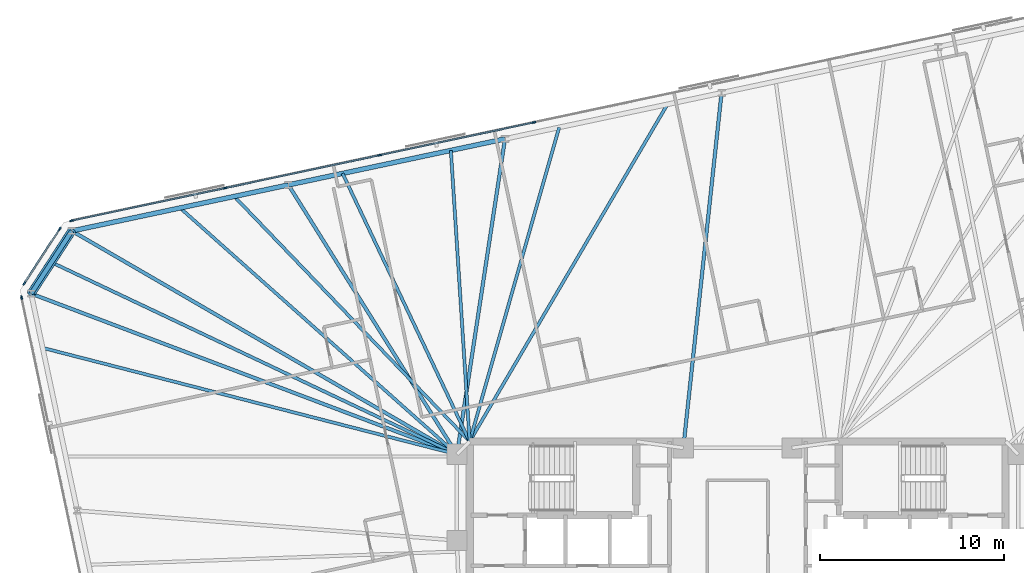
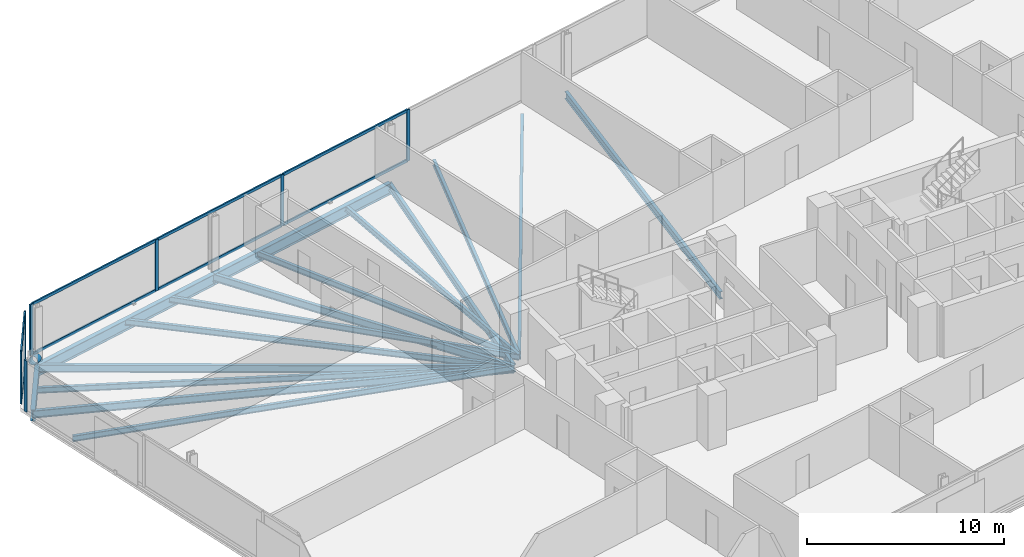
# One storey, part 9 of 19: 16 beams, 16 members, 3 elements without a shape of their own.
"""IFC4 building model written with IfcOpenShell, lengths in metres."""

from ifc_helpers import new_model, si_unit, direction, frame, origin, origin_2d, place, context, subcontext, project, spatial, rectangle, hollow_circle, i_section, extrude, material, material_profile, profile_set, type_object, element, aggregate, save


model = new_model("IFC4")

# Units and contexts
model_context = context("Model", 3, precision=1e-05, world=origin(), true_north=direction((0.0, 1.0)))
body_context = subcontext(model_context, "Body", "Model", "MODEL_VIEW")
ifc_project = project(units=[si_unit("LENGTHUNIT", "METRE"), si_unit("AREAUNIT", "SQUARE_METRE"), si_unit("VOLUMEUNIT", "CUBIC_METRE"), si_unit("PLANEANGLEUNIT", "RADIAN"), si_unit("MASSUNIT", "GRAM", prefix="KILO")], contexts=[model_context])

# Site, building, storey
site_placement = place(None, origin())
site = spatial("IfcSite", under=ifc_project, at=site_placement, CompositionType="ELEMENT")
building_placement = place(site_placement, origin())
building = spatial("IfcBuilding", under=site, at=building_placement, Name="Menara Jurai Vektor", CompositionType="ELEMENT")
storey_placement = place(building_placement, frame((0.0, 0.0, 154.800048828125)))
storey = spatial("IfcBuildingStorey", under=building, at=storey_placement, Name="L39", CompositionType="ELEMENT", Elevation=154.800048828125)

# Curtain wall, members
ifc_material_1 = material(Name="Anodised Pale Aluminium & Low-E Double Glazing", Category="aluminium")
curtain_wall_type = type_object("IfcCurtainWallType", Name="CW-BLK3", PredefinedType="NOTDEFINED", material=ifc_material_1)
curtain_wall_1_placement = place(storey_placement, origin())
curtain_wall_1 = element("IfcCurtainWall", 1, at=curtain_wall_1_placement, inside=storey, type_object=curtain_wall_type, Name="Unitised Curtain Wall L39 F05", PredefinedType="NOTDEFINED")
ifc_material_2 = material(Name="Anodised Pale Aluminium Mullion", Category="aluminium")
ifc_material_profile_1 = material_profile(ifc_material_2, rectangle(XDim=0.0849609375, YDim=0.205078125, at=origin_2d()), Name="ALU MUL 85x205")
ifc_profile_set_1 = profile_set([ifc_material_profile_1], Name="Anodised Pale Aluminium Mullion")
member_type_1 = type_object("IfcMemberType", Name="CW-BLK3-MUL", PredefinedType="MULLION", material=ifc_profile_set_1)
member_1_placement = place(storey_placement, frame((-11.06494140625, 22.9384765625, 0.0), z_axis=(0.0, 0.0, 1.0), x_axis=(0.207911344156, -0.978147674419, 0.0)))
member_1 = element("IfcMember", 2, at=member_1_placement, type_object=member_type_1, Name="CW-03 mullion 5", PredefinedType="MULLION", context=body_context, shape_type="SweptSolid", body=[
    extrude(rectangle(XDim=0.0849609375, YDim=0.205078125, at=origin_2d()), origin(), (0.0, 0.0, 1.0), 3.175048828125),
])
member_2_placement = place(storey_placement, frame((-19.45458984375, 21.1552734375, 0.0), z_axis=(0.0, 0.0, 1.0), x_axis=(0.207911344156, -0.978147674419, 0.0)))
member_2 = element("IfcMember", 3, at=member_2_placement, type_object=member_type_1, Name="CW-03 mullion 6", PredefinedType="MULLION", context=body_context, shape_type="SweptSolid", body=[
    extrude(rectangle(XDim=0.0849609375, YDim=0.205078125, at=origin_2d()), origin(), (0.0, 0.0, 1.0), 3.175048828125),
])
member_3_placement = place(storey_placement, frame((-27.844482421875, 19.3720703125, 0.0), z_axis=(0.0, 0.0, 1.0), x_axis=(0.207911344156, -0.978147674419, 0.0)))
member_3 = element("IfcMember", 4, at=member_3_placement, type_object=member_type_1, Name="CW-03 mullion 7", PredefinedType="MULLION", context=body_context, shape_type="SweptSolid", body=[
    extrude(rectangle(XDim=0.0849609375, YDim=0.205078125, at=origin_2d()), origin(), (0.0, 0.0, 1.0), 3.175048828125),
])
member_4_placement = place(storey_placement, frame((-36.192626953125, 17.59765625, 0.0), z_axis=(0.0, 0.0, 1.0), x_axis=(0.207911344156, -0.978147674419, 0.0)))
member_4 = element("IfcMember", 5, at=member_4_placement, type_object=member_type_1, Name="CW-03 mullion 8", PredefinedType="MULLION", context=body_context, shape_type="SweptSolid", body=[
    extrude(rectangle(XDim=0.0849609375, YDim=0.205078125, at=origin_2d()), origin(), (0.0, 0.0, 1.0), 3.175048828125),
])

curtain_wall_2_placement = place(storey_placement, origin())
curtain_wall_2 = element("IfcCurtainWall", 6, at=curtain_wall_2_placement, inside=storey, type_object=curtain_wall_type, Name="Unitised Curtain Wall L39 F06", PredefinedType="NOTDEFINED")
member_5_placement = place(storey_placement, frame((-36.8359375, 17.1552734375, 0.0), z_axis=(0.0, 0.0, 1.0), x_axis=(0.838684361415, -0.544617794346, 0.0)))
member_5 = element("IfcMember", 7, at=member_5_placement, type_object=member_type_1, Name="CW-03 mullion 1", PredefinedType="MULLION", context=body_context, shape_type="SweptSolid", body=[
    extrude(rectangle(XDim=0.0849609375, YDim=0.205078125, at=origin_2d()), origin(), (0.0, 0.0, 1.0), 3.175048828125),
])
member_6_placement = place(storey_placement, frame((-38.763427734375, 14.187255859375, 0.0), z_axis=(0.0, 0.0, 1.0), x_axis=(0.838684361415, -0.544617794346, 0.0)))
member_6 = element("IfcMember", 8, at=member_6_placement, type_object=member_type_1, Name="CW-03 mullion 2", PredefinedType="MULLION", context=body_context, shape_type="SweptSolid", body=[
    extrude(rectangle(XDim=0.0849609375, YDim=0.205078125, at=origin_2d()), origin(), (0.0, 0.0, 1.0), 3.175048828125),
])

# Curtain wall, member
curtain_wall_3_placement = place(storey_placement, origin())
curtain_wall_3 = element("IfcCurtainWall", 9, at=curtain_wall_3_placement, inside=storey, type_object=curtain_wall_type, Name="Unitised Curtain Wall L39 F07", PredefinedType="NOTDEFINED")
member_7_placement = place(storey_placement, frame((-38.90576171875, 13.419677734375, 0.0), z_axis=(0.0, 0.0, 1.0), x_axis=(0.978147883949, 0.20791035839, 0.0)))
member_7 = element("IfcMember", 10, at=member_7_placement, type_object=member_type_1, Name="CW-03 mullion 1", PredefinedType="MULLION", context=body_context, shape_type="SweptSolid", body=[
    extrude(rectangle(XDim=0.0849609375, YDim=0.205078125, at=origin_2d()), origin(), (0.0, 0.0, 1.0), 3.175048828125),
])
aggregate(curtain_wall_3, [member_7])

# Member
ifc_material_3 = material(Name="Anodised Pale Aluminium Transom", Category="aluminium")
ifc_material_profile_2 = material_profile(ifc_material_3, rectangle(XDim=0.0849609375, YDim=0.175048828125, at=origin_2d()), Name="ALU TRN 85x175")
ifc_profile_set_2 = profile_set([ifc_material_profile_2], Name="Anodised Pale Aluminium Transom")
member_type_2 = type_object("IfcMemberType", Name="CW-BLK3-TRN", PredefinedType="USERDEFINED", material=ifc_profile_set_2)
member_8_placement = place(storey_placement, frame((-11.1064453125, 22.9296875, 0.04248046875), z_axis=(-0.978147743708, -0.207911018178, 0.0), x_axis=(0.207911018178, -0.978147743708, 0.0)))
member_8 = element("IfcMember", 11, at=member_8_placement, type_object=member_type_2, Name="CW-03 transom 5.1", ObjectType="TRANSOM", PredefinedType="USERDEFINED", context=body_context, shape_type="SweptSolid", body=[
    extrude(rectangle(XDim=0.0849609375, YDim=0.175048828125, at=origin_2d()), origin(), (0.0, 0.0, 1.0), 8.4921875),
])

member_9_placement = place(storey_placement, frame((-11.1064453125, 22.9296875, 3.132568359375), z_axis=(-0.978147743708, -0.207911018178, 0.0), x_axis=(0.207911018178, -0.978147743708, 0.0)))
member_9 = element("IfcMember", 12, at=member_9_placement, type_object=member_type_2, Name="CW-03 transom 5.2", ObjectType="TRANSOM", PredefinedType="USERDEFINED", context=body_context, shape_type="SweptSolid", body=[
    extrude(rectangle(XDim=0.0849609375, YDim=0.175048828125, at=origin_2d()), origin(), (0.0, 0.0, 1.0), 8.4921875),
])

member_10_placement = place(storey_placement, frame((-19.496337890625, 21.146484375, 0.04248046875), z_axis=(-0.978146500933, -0.207916864907, 0.0), x_axis=(0.207916864907, -0.978146500933, 0.0)))
member_10 = element("IfcMember", 13, at=member_10_placement, type_object=member_type_2, Name="CW-03 transom 6.1", ObjectType="TRANSOM", PredefinedType="USERDEFINED", context=body_context, shape_type="SweptSolid", body=[
    extrude(rectangle(XDim=0.0849609375, YDim=0.175048828125, at=origin_2d()), origin(), (0.0, 0.0, 1.0), 8.491943359375),
])

member_11_placement = place(storey_placement, frame((-19.496337890625, 21.146484375, 3.132568359375), z_axis=(-0.978146500933, -0.207916864907, 0.0), x_axis=(0.207916864907, -0.978146500933, 0.0)))
member_11 = element("IfcMember", 14, at=member_11_placement, type_object=member_type_2, Name="CW-03 transom 6.2", ObjectType="TRANSOM", PredefinedType="USERDEFINED", context=body_context, shape_type="SweptSolid", body=[
    extrude(rectangle(XDim=0.0849609375, YDim=0.175048828125, at=origin_2d()), origin(), (0.0, 0.0, 1.0), 8.491943359375),
])

member_12_placement = place(storey_placement, frame((-27.885986328125, 19.363037109375, 0.04248046875), z_axis=(-0.978151580361, -0.207892967261, 0.0), x_axis=(0.207892967261, -0.978151580361, 0.0)))
member_12 = element("IfcMember", 15, at=member_12_placement, type_object=member_type_2, Name="CW-03 transom 7.1", ObjectType="TRANSOM", PredefinedType="USERDEFINED", context=body_context, shape_type="SweptSolid", body=[
    extrude(rectangle(XDim=0.0849609375, YDim=0.175048828125, at=origin_2d()), origin(), (0.0, 0.0, 1.0), 8.449462890625),
])

member_13_placement = place(storey_placement, frame((-27.885986328125, 19.363037109375, 3.132568359375), z_axis=(-0.978151580361, -0.207892967261, 0.0), x_axis=(0.207892967261, -0.978151580361, 0.0)))
member_13 = element("IfcMember", 16, at=member_13_placement, type_object=member_type_2, Name="CW-03 transom 7.2", ObjectType="TRANSOM", PredefinedType="USERDEFINED", context=body_context, shape_type="SweptSolid", body=[
    extrude(rectangle(XDim=0.0849609375, YDim=0.175048828125, at=origin_2d()), origin(), (0.0, 0.0, 1.0), 8.449462890625),
])

aggregate(curtain_wall_1, [member_1, member_2, member_3, member_4, member_8, member_9, member_10, member_11, member_12, member_13])

member_14_placement = place(storey_placement, frame((-36.859130859375, 17.11962890625, 0.04248046875), z_axis=(-0.54462804274, -0.83867770631, 0.0), x_axis=(0.83867770631, -0.54462804274, 0.0)))
member_14 = element("IfcMember", 17, at=member_14_placement, type_object=member_type_2, Name="CW-03 transom 1.1", ObjectType="TRANSOM", PredefinedType="USERDEFINED", context=body_context, shape_type="SweptSolid", body=[
    extrude(rectangle(XDim=0.0849609375, YDim=0.175048828125, at=origin_2d()), origin(), (0.0, 0.0, 1.0), 3.453857421875),
])

member_15_placement = place(storey_placement, frame((-36.859130859375, 17.11962890625, 3.132568359375), z_axis=(-0.54462804274, -0.83867770631, 0.0), x_axis=(0.83867770631, -0.54462804274, 0.0)))
member_15 = element("IfcMember", 18, at=member_15_placement, type_object=member_type_2, Name="CW-03 transom 1.2", ObjectType="TRANSOM", PredefinedType="USERDEFINED", context=body_context, shape_type="SweptSolid", body=[
    extrude(rectangle(XDim=0.0849609375, YDim=0.175048828125, at=origin_2d()), origin(), (0.0, 0.0, 1.0), 3.453857421875),
])

aggregate(curtain_wall_2, [member_5, member_6, member_14, member_15])

# Beams
ifc_material_4 = material(Name="Steel S355", Category="steel")
ifc_material_profile_3 = material_profile(ifc_material_4, i_section(OverallWidth=0.19091796875, OverallDepth=0.4599609375, WebThickness=0.010009765625, FlangeThickness=0.01611328125, FilletRadius=0.010009765625, at=origin_2d()), Name="UKB 457x191x82")
ifc_profile_set_3 = profile_set([ifc_material_profile_3], Name="Steel S355")
beam_type_1 = type_object("IfcBeamType", Name="STR-BM-457", PredefinedType="BEAM", material=ifc_profile_set_3)
beam_1_placement = place(storey_placement, frame((-0.87158203125, 24.54296875, -0.455078125), z_axis=(-0.107107067506, -0.994247492373, 0.0), x_axis=(0.994247492373, -0.107107067506, 0.0)))
element("IfcBeam", 19, at=beam_1_placement, inside=storey, type_object=beam_type_1, Name="Radial Floor Girder L39-N3", PredefinedType="BEAM", context=body_context, shape_type="SweptSolid", body=[
    extrude(i_section(OverallWidth=0.19091796875, OverallDepth=0.4599609375, WebThickness=0.010009765625, FlangeThickness=0.01611328125, FilletRadius=0.010009765625, at=origin_2d()), origin(), (0.0, 0.0, 1.0), 19.404541015625),
])
beam_2_placement = place(storey_placement, frame((-12.639892578125, 22.04150390625, -0.455078125), z_axis=(-0.150532344322, -0.988605084608, 0.0), x_axis=(0.988605084608, -0.150532344322, 0.0)))
element("IfcBeam", 20, at=beam_2_placement, inside=storey, type_object=beam_type_1, Name="Radial Floor Girder L39-N4", PredefinedType="BEAM", context=body_context, shape_type="SweptSolid", body=[
    extrude(i_section(OverallWidth=0.19091796875, OverallDepth=0.4599609375, WebThickness=0.010009765625, FlangeThickness=0.01611328125, FilletRadius=0.010009765625, at=origin_2d()), origin(), (0.0, 0.0, 1.0), 17.339111328125),
])
beam_3_placement = place(storey_placement, frame((-24.408203125, 19.5400390625, -0.455078125), z_axis=(0.53033693414, -0.847786963976, 0.0), x_axis=(0.847786963976, 0.53033693414, 0.0)))
element("IfcBeam", 21, at=beam_3_placement, inside=storey, type_object=beam_type_1, Name="Radial Floor Girder L39-N5", PredefinedType="BEAM", context=body_context, shape_type="SweptSolid", body=[
    extrude(i_section(OverallWidth=0.19091796875, OverallDepth=0.4599609375, WebThickness=0.010009765625, FlangeThickness=0.01611328125, FilletRadius=0.010009765625, at=origin_2d()), origin(), (0.0, 0.0, 1.0), 17.2685546875),
])
beam_4_placement = place(storey_placement, frame((-36.17626953125, 17.038818359375, -0.455078125), z_axis=(0.86500105453, -0.50177004261, 0.0), x_axis=(0.50177004261, 0.86500105453, 0.0)))
element("IfcBeam", 22, at=beam_4_placement, inside=storey, type_object=beam_type_1, Name="Radial Floor Girder L39-N6", PredefinedType="BEAM", context=body_context, shape_type="SweptSolid", body=[
    extrude(i_section(OverallWidth=0.19091796875, OverallDepth=0.4599609375, WebThickness=0.010009765625, FlangeThickness=0.01611328125, FilletRadius=0.010009765625, at=origin_2d()), origin(), (0.0, 0.0, 1.0), 24.192138671875),
])
beam_5_placement = place(storey_placement, frame((-38.388671875, 13.632080078125, -0.455078125), z_axis=(0.935593658977, -0.353078610626, 0.0), x_axis=(0.353078610626, 0.935593658977, 0.0)))
element("IfcBeam", 23, at=beam_5_placement, inside=storey, type_object=beam_type_1, Name="Radial Floor Girder L39-W1", PredefinedType="BEAM", context=body_context, shape_type="SweptSolid", body=[
    extrude(i_section(OverallWidth=0.19091796875, OverallDepth=0.4599609375, WebThickness=0.010009765625, FlangeThickness=0.01611328125, FilletRadius=0.010009765625, at=origin_2d()), origin(), (0.0, 0.0, 1.0), 24.7314453125),
])

# Member
ifc_material_5 = material(Name="Steel S460", Category="steel")
ifc_material_profile_4 = material_profile(ifc_material_5, hollow_circle(Radius=0.228515625, WallThickness=0.01611328125, at=origin_2d()), Name="CHS 457x16")
ifc_profile_set_4 = profile_set([ifc_material_profile_4], Name="Steel S460")
member_type_3 = type_object("IfcMemberType", Name="STR-BR-457", PredefinedType="BRACE", material=ifc_profile_set_4)
member_16_placement = place(storey_placement, frame((-36.17626953125, 17.03857421875, 0.14990234375), z_axis=(-0.454887866849, -0.700402825662, 0.5500117366), x_axis=(0.838648168484, -0.544673525608, 0.0)))
element("IfcMember", 24, at=member_16_placement, inside=storey, type_object=member_type_3, Name="Exoskeleton Corner Brace L39-3", PredefinedType="BRACE", context=body_context, shape_type="SweptSolid", body=[
    extrude(hollow_circle(Radius=0.228515625, WallThickness=0.01611328125, at=origin_2d()), origin(), (0.0, 0.0, 1.0), 4.863525390625),
])

# Beams
ifc_material_profile_5 = material_profile(ifc_material_4, i_section(OverallWidth=0.172119140625, OverallDepth=0.35498046875, WebThickness=0.007080078125, FlangeThickness=0.011962890625, FilletRadius=0.010009765625, at=origin_2d()), Name="UKB 356x171x51")
ifc_profile_set_5 = profile_set([ifc_material_profile_5], Name="Steel S355")
beam_type_2 = type_object("IfcBeamType", Name="STR-JS-356", PredefinedType="JOIST", material=ifc_profile_set_5)
beam_6_placement = place(storey_placement, frame((-3.813720703125, 23.91748046875, -0.402587890625), z_axis=(-0.506019514775, -0.862522029091, 0.0), x_axis=(0.862522029091, -0.506019514775, 0.0)))
element("IfcBeam", 25, at=beam_6_placement, inside=storey, type_object=beam_type_2, Name="Radial Secondary Floor Joist L39-JS22", PredefinedType="JOIST", context=body_context, shape_type="SweptSolid", body=[
    extrude(i_section(OverallWidth=0.172119140625, OverallDepth=0.35498046875, WebThickness=0.007080078125, FlangeThickness=0.011962890625, FilletRadius=0.010009765625, at=origin_2d()), origin(), (0.0, 0.0, 1.0), 21.237060546875),
])
beam_7_placement = place(storey_placement, frame((-9.69775390625, 22.666748046875, -0.402587890625), z_axis=(-0.273997863708, -0.961730300387, 0.0), x_axis=(0.961730300387, -0.273997863708, 0.0)))
element("IfcBeam", 26, at=beam_7_placement, inside=storey, type_object=beam_type_2, Name="Radial Secondary Floor Joist L39-JS23", PredefinedType="JOIST", context=body_context, shape_type="SweptSolid", body=[
    extrude(i_section(OverallWidth=0.172119140625, OverallDepth=0.35498046875, WebThickness=0.007080078125, FlangeThickness=0.011962890625, FilletRadius=0.010009765625, at=origin_2d()), origin(), (0.0, 0.0, 1.0), 17.745849609375),
])
beam_8_placement = place(storey_placement, frame((-15.581787109375, 21.416015625, -0.402587890625), z_axis=(0.064466897528, -0.997919846041, 0.0), x_axis=(0.997919846041, 0.064466897528, 0.0)))
element("IfcBeam", 27, at=beam_8_placement, inside=storey, type_object=beam_type_2, Name="Radial Secondary Floor Joist L39-JS24", PredefinedType="JOIST", context=body_context, shape_type="SweptSolid", body=[
    extrude(i_section(OverallWidth=0.172119140625, OverallDepth=0.35498046875, WebThickness=0.007080078125, FlangeThickness=0.011962890625, FilletRadius=0.010009765625, at=origin_2d()), origin(), (0.0, 0.0, 1.0), 15.848876953125),
])
beam_9_placement = place(storey_placement, frame((-21.466064453125, 20.165283203125, -0.402587890625), z_axis=(0.428426167333, -0.903576792057, 0.0), x_axis=(0.903576792057, 0.428426167333, 0.0)))
element("IfcBeam", 28, at=beam_9_placement, inside=storey, type_object=beam_type_2, Name="Radial Secondary Floor Joist L39-JS25", PredefinedType="JOIST", context=body_context, shape_type="SweptSolid", body=[
    extrude(i_section(OverallWidth=0.172119140625, OverallDepth=0.35498046875, WebThickness=0.007080078125, FlangeThickness=0.011962890625, FilletRadius=0.010009765625, at=origin_2d()), origin(), (0.0, 0.0, 1.0), 16.119384765625),
])
beam_10_placement = place(storey_placement, frame((-27.35009765625, 18.914794921875, -0.402587890625), z_axis=(0.692755307066, -0.721172714772, 0.0), x_axis=(0.721172714772, 0.692755307066, 0.0)))
element("IfcBeam", 29, at=beam_10_placement, inside=storey, type_object=beam_type_2, Name="Radial Secondary Floor Joist L39-JS26", PredefinedType="JOIST", context=body_context, shape_type="SweptSolid", body=[
    extrude(i_section(OverallWidth=0.172119140625, OverallDepth=0.35498046875, WebThickness=0.007080078125, FlangeThickness=0.011962890625, FilletRadius=0.010009765625, at=origin_2d()), origin(), (0.0, 0.0, 1.0), 18.462646484375),
])
beam_11_placement = place(storey_placement, frame((-30.292236328125, 18.289306640625, -0.402587890625), z_axis=(0.746952302948, -0.664877625673, 0.0), x_axis=(0.664877625673, 0.746952302948, 0.0)))
element("IfcBeam", 30, at=beam_11_placement, inside=storey, type_object=beam_type_2, Name="Radial Secondary Floor Joist L39-JS27", PredefinedType="JOIST", context=body_context, shape_type="SweptSolid", body=[
    extrude(i_section(OverallWidth=0.172119140625, OverallDepth=0.35498046875, WebThickness=0.007080078125, FlangeThickness=0.011962890625, FilletRadius=0.010009765625, at=origin_2d()), origin(), (0.0, 0.0, 1.0), 20.13818359375),
])
beam_12_placement = place(storey_placement, frame((-37.282470703125, 15.33544921875, -0.402587890625), z_axis=(0.903751908448, -0.428056641085, 0.0), x_axis=(0.428056641085, 0.903751908448, 0.0)))
element("IfcBeam", 31, at=beam_12_placement, inside=storey, type_object=beam_type_2, Name="Radial Secondary Floor Joist L39-JS28", PredefinedType="JOIST", context=body_context, shape_type="SweptSolid", body=[
    extrude(i_section(OverallWidth=0.172119140625, OverallDepth=0.35498046875, WebThickness=0.007080078125, FlangeThickness=0.011962890625, FilletRadius=0.010009765625, at=origin_2d()), origin(), (0.0, 0.0, 1.0), 24.37890625),
])
beam_13_placement = place(storey_placement, frame((-37.76220703125, 10.68505859375, -0.402587890625), z_axis=(0.968531283953, -0.248891848005, 0.0), x_axis=(0.248891848005, 0.968531283953, 0.0)))
element("IfcBeam", 32, at=beam_13_placement, inside=storey, type_object=beam_type_2, Name="Radial Secondary Floor Joist L39-JS29", PredefinedType="JOIST", context=body_context, shape_type="SweptSolid", body=[
    extrude(i_section(OverallWidth=0.172119140625, OverallDepth=0.35498046875, WebThickness=0.007080078125, FlangeThickness=0.011962890625, FilletRadius=0.010009765625, at=origin_2d()), origin(), (0.0, 0.0, 1.0), 23.24365234375),
])
ifc_material_profile_6 = material_profile(ifc_material_5, i_section(OverallWidth=0.256103515625, OverallDepth=0.693115234375, WebThickness=0.013916015625, FlangeThickness=0.02392578125, FilletRadius=0.014892578125, at=origin_2d()), Name="UKB 686x254x170")
ifc_profile_set_6 = profile_set([ifc_material_profile_6], Name="Steel S460")
beam_type_3 = type_object("IfcBeamType", Name="STR-SP-686", PredefinedType="SPANDREL", material=ifc_profile_set_6)
beam_14_placement = place(storey_placement, frame((-12.639892578125, 22.04150390625, -0.571533203125), z_axis=(-0.978147039247, -0.207914332389, 0.0), x_axis=(0.207914332389, -0.978147039247, 0.0)))
element("IfcBeam", 33, at=beam_14_placement, inside=storey, type_object=beam_type_3, Name="Exoskeleton Spandrel Beam L39-14", PredefinedType="SPANDREL", context=body_context, shape_type="SweptSolid", body=[
    extrude(i_section(OverallWidth=0.256103515625, OverallDepth=0.693115234375, WebThickness=0.013916015625, FlangeThickness=0.02392578125, FilletRadius=0.014892578125, at=origin_2d()), origin(), (0.0, 0.0, 1.0), 12.03125),
])
beam_15_placement = place(storey_placement, frame((-24.408203125, 19.5400390625, -0.571533203125), z_axis=(-0.978150288855, -0.207899043801, 0.0), x_axis=(0.207899043801, -0.978150288855, 0.0)))
element("IfcBeam", 34, at=beam_15_placement, inside=storey, type_object=beam_type_3, Name="Exoskeleton Spandrel Beam L39-15", PredefinedType="SPANDREL", context=body_context, shape_type="SweptSolid", body=[
    extrude(i_section(OverallWidth=0.256103515625, OverallDepth=0.693115234375, WebThickness=0.013916015625, FlangeThickness=0.02392578125, FilletRadius=0.014892578125, at=origin_2d()), origin(), (0.0, 0.0, 1.0), 12.031005859375),
])
beam_16_placement = place(storey_placement, frame((-36.17626953125, 17.038818359375, -0.571533203125), z_axis=(-0.544646071268, -0.838665998507, 0.0), x_axis=(0.838665998507, -0.544646071268, 0.0)))
element("IfcBeam", 35, at=beam_16_placement, inside=storey, type_object=beam_type_3, Name="Exoskeleton Spandrel Beam L39-16", PredefinedType="SPANDREL", context=body_context, shape_type="SweptSolid", body=[
    extrude(i_section(OverallWidth=0.256103515625, OverallDepth=0.693115234375, WebThickness=0.013916015625, FlangeThickness=0.02392578125, FilletRadius=0.014892578125, at=origin_2d()), origin(), (0.0, 0.0, 1.0), 4.06201171875),
])

save(model, "model.ifc")
